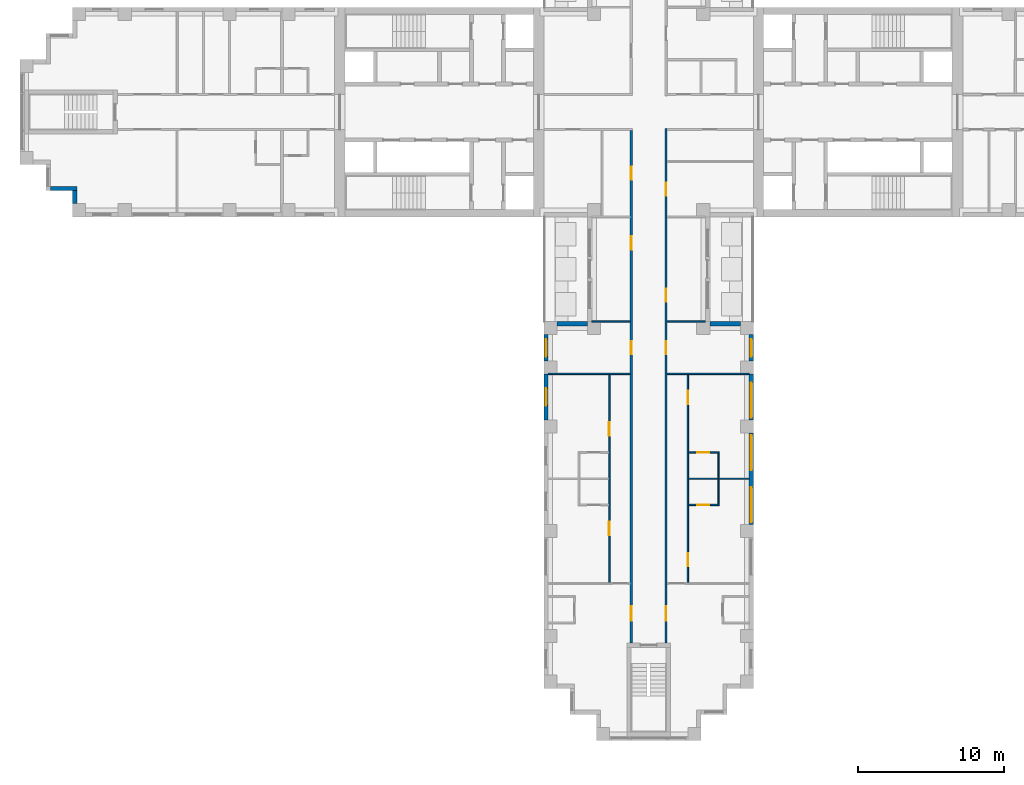
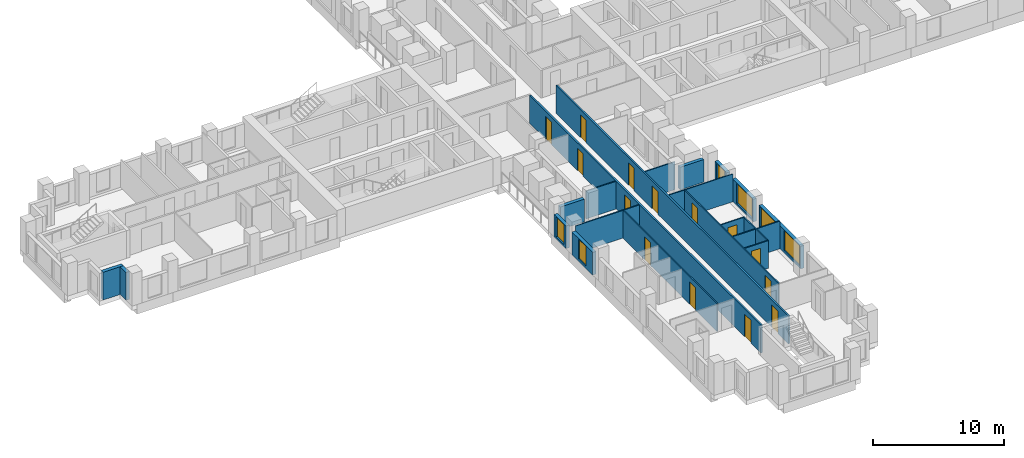
# One storey, part 4 of 15: 21 walls, 14 doors, 6 windows, 20 openings.
"""IFC4 building model written with IfcOpenShell, lengths in metres."""

import ifcopenshell
import ifcopenshell.guid

model = None  # the IFC model being written
_history = None  # IfcOwnerHistory: only IFC2X3 demands one
_inside = {}  # id of a spatial element -> (the spatial element, [elements in it])
_under = {}  # id of a project, library or spatial element -> (it, [spatial elements below it])
_declared = {}  # id of a project -> (the project, [libraries it declares])
_typed = {}  # id of a type object -> (the type object, [elements of that type])
_made_of = {}  # id of a material, layer set ... -> (it, [elements and type objects made of it])


def new_model(schema):
    """Start an empty IFC model of exactly this schema.

    Asked for "IFC4X3", IfcOpenShell would pick the latest addendum, in which some entities
    have other attributes; the version numbers below select the first issue.
    IFC2X3 requires an IfcOwnerHistory on every rooted entity: one is made here for all.
    """
    global model, _history
    if schema == "IFC4X3":
        model = ifcopenshell.file(schema_version=(4, 3, 0, 0))
    else:
        model = ifcopenshell.file(schema=schema)
    _inside.clear()
    _under.clear()
    _declared.clear()
    _typed.clear()
    _made_of.clear()
    _history = None
    if model.schema == "IFC2X3":
        org = make("IfcOrganization", Name="unknown")
        user = make(
            "IfcPersonAndOrganization",
            ThePerson=make("IfcPerson", FamilyName="unknown"),
            TheOrganization=org,
        )
        app = make(
            "IfcApplication",
            ApplicationDeveloper=org,
            Version="unknown",
            ApplicationFullName="unknown",
            ApplicationIdentifier="unknown",
        )
        _history = make(
            "IfcOwnerHistory",
            OwningUser=user,
            OwningApplication=app,
            ChangeAction="ADDED",
            CreationDate=0,
        )
    return model


def make(cls, **values):
    """One entity of the class cls with the attributes given. An attribute that is None is left unset."""
    return model.create_entity(
        cls, **{name: value for name, value in values.items() if value is not None}
    )


def rooted(cls, **values):
    """An entity with a GlobalId (a new one), such as an element, a storey or a relation."""
    return make(cls, GlobalId=ifcopenshell.guid.new(), OwnerHistory=_history, **values)


def si_unit(unit_type, name, prefix=None):
    """IfcSIUnit, for example si_unit("LENGTHUNIT", "METRE", prefix="MILLI")."""
    return make("IfcSIUnit", UnitType=unit_type, Prefix=prefix, Name=name)


def assignment(units):
    """IfcUnitAssignment: the units of a project."""
    return None if units is None else make("IfcUnitAssignment", Units=units)


def point(xyz):
    """IfcCartesianPoint."""
    return None if xyz is None else make("IfcCartesianPoint", Coordinates=xyz)


def direction(xyz):
    """IfcDirection."""
    return None if xyz is None else make("IfcDirection", DirectionRatios=xyz)


def frame(location, z_axis=None, x_axis=None):
    """IfcAxis2Placement3D, a coordinate frame: its origin and axes. An axis left out is left unset."""
    return make(
        "IfcAxis2Placement3D",
        Location=point(location),
        Axis=direction(z_axis),
        RefDirection=direction(x_axis),
    )


def frame_2d(location, x_axis=None):
    """IfcAxis2Placement2D, a coordinate frame in the plane: its origin and x axis."""
    return make(
        "IfcAxis2Placement2D", Location=point(location), RefDirection=direction(x_axis)
    )


def origin():
    """The frame at (0, 0, 0) with its axes left unset."""
    return frame((0.0, 0.0, 0.0))


def place(relative_to, where):
    """IfcLocalPlacement: puts the frame where relative to a parent placement (None: the world)."""
    return make(
        "IfcLocalPlacement", PlacementRelTo=relative_to, RelativePlacement=where
    )


def context(
    kind, dimensions, precision=None, world=None, true_north=None, identifier=None
):
    """IfcGeometricRepresentationContext, for example the 3D "Model" context."""
    return make(
        "IfcGeometricRepresentationContext",
        ContextIdentifier=identifier,
        ContextType=kind,
        CoordinateSpaceDimension=dimensions,
        Precision=precision,
        WorldCoordinateSystem=world,
        TrueNorth=true_north,
    )


def subcontext(parent, identifier, kind, view, scale=None):
    """IfcGeometricRepresentationSubContext, for example "Body" below "Model"."""
    return make(
        "IfcGeometricRepresentationSubContext",
        ContextIdentifier=identifier,
        ContextType=kind,
        ParentContext=parent,
        TargetScale=scale,
        TargetView=view,
    )


def project(units=None, contexts=None):
    """IfcProject with its units and contexts."""
    return rooted(
        "IfcProject",
        Name="project",
        RepresentationContexts=contexts,
        UnitsInContext=assignment(units),
    )


def spatial(cls, under=None, at=None, **own):
    """A site, building, storey or space (cls), placed at a placement, below another one or the project."""
    s = rooted(cls, ObjectPlacement=at, **own)
    if under is not None:
        _under.setdefault(under.id(), (under, []))[1].append(s)
    return s


def profile(cls, at=None, kind="AREA", **sizes):
    """A parametric profile (cls). Its sizes go by their IFC names, for example OverallWidth=200.0."""
    return make(cls, ProfileType=kind, Position=at, **sizes)


def rectangle(**sizes):
    """IfcRectangleProfileDef."""
    return profile("IfcRectangleProfileDef", **sizes)


def extrude(swept, where, along, depth):
    """IfcExtrudedAreaSolid: the profile swept, set in the frame where, extruded along a direction by depth."""
    return make(
        "IfcExtrudedAreaSolid",
        SweptArea=swept,
        Position=where,
        ExtrudedDirection=direction(along),
        Depth=depth,
    )


def shape(context_of_items, identifier, shape_type, items):
    """IfcShapeRepresentation: the items that make up one representation, for example the "Body"."""
    return make(
        "IfcShapeRepresentation",
        ContextOfItems=context_of_items,
        RepresentationIdentifier=identifier,
        RepresentationType=shape_type,
        Items=items,
    )


def material(Name=None, Category=None):
    """IfcMaterial."""
    return make("IfcMaterial", Name=Name, Category=Category)


def layer(
    of_material, thickness, ventilated=None, Name=None, Category=None, Priority=None
):
    """IfcMaterialLayer: one layer of a wall or slab, of a material (None: an air gap)."""
    return make(
        "IfcMaterialLayer",
        Material=of_material,
        LayerThickness=thickness,
        IsVentilated=ventilated,
        Name=Name,
        Category=Category,
        Priority=Priority,
    )


def layer_set(layers, Name=None):
    """IfcMaterialLayerSet."""
    return make("IfcMaterialLayerSet", MaterialLayers=layers, LayerSetName=Name)


def made_of(thing, what):
    """Note that an element or type object is made of a material, layer set ...; save() writes the relation."""
    if what is not None:
        _made_of.setdefault(what.id(), (what, []))[1].append(thing)
    return thing


def type_object(cls, material=None, **own):
    """A type object (cls), such as IfcWallType, which elements share."""
    return made_of(rooted(cls, **own), material)


def element(
    cls,
    number,
    at=None,
    inside=None,
    cuts=None,
    type_object=None,
    material=None,
    context=None,
    identifier="Body",
    shape_type=None,
    held_by="IfcProductDefinitionShape",
    body=None,
    shapes=None,
    **own,
):
    """One element of the class cls, such as IfcWall. Its Tag is "e" and its number.

    at: its placement. inside: the storey or other place that contains it. cuts: it is an
    opening in that element (IfcRelVoidsElement). A single representation is given by context,
    identifier, shape_type and body (its items); several are given by shapes. held_by: the class
    of the entity that holds the representations. save() writes the other relations.
    """
    e = rooted(cls, Tag="e%d" % number, ObjectPlacement=at, **own)
    if body is not None:
        shapes = [shape(context, identifier, shape_type, body)]
    if shapes is not None:
        e.Representation = make(held_by, Representations=shapes)
    if inside is not None:
        _inside.setdefault(inside.id(), (inside, []))[1].append(e)
    if cuts is not None:
        rooted(
            "IfcRelVoidsElement", RelatingBuildingElement=cuts, RelatedOpeningElement=e
        )
    if type_object is not None:
        _typed.setdefault(type_object.id(), (type_object, []))[1].append(e)
    return made_of(e, material)


def fill(opening, filler):
    """IfcRelFillsElement: the door or window that sits in an opening."""
    return rooted(
        "IfcRelFillsElement",
        RelatingOpeningElement=opening,
        RelatedBuildingElement=filler,
    )


def aggregate(whole, parts):
    """IfcRelAggregates: a whole, such as a stair, and the parts it consists of."""
    return rooted("IfcRelAggregates", RelatingObject=whole, RelatedObjects=parts)


def save(model, path):
    """Write the relations noted so far, then the file.

    IfcRelAggregates (storeys below a building ...), IfcRelContainedInSpatialStructure (elements
    in a storey), IfcRelDefinesByType, IfcRelAssociatesMaterial and IfcRelDeclares: one each for
    every whole, place, type object, material and project.
    """
    for whole, parts in _under.values():
        aggregate(whole, parts)
    for where, things in _inside.values():
        rooted(
            "IfcRelContainedInSpatialStructure",
            RelatedElements=things,
            RelatingStructure=where,
        )
    for kind, things in _typed.values():
        rooted("IfcRelDefinesByType", RelatedObjects=things, RelatingType=kind)
    for what, things in _made_of.values():
        rooted("IfcRelAssociatesMaterial", RelatedObjects=things, RelatingMaterial=what)
    for by, libraries in _declared.values():
        rooted("IfcRelDeclares", RelatingContext=by, RelatedDefinitions=libraries)
    model.write(path)


model = new_model("IFC4")

# Units and contexts
model_context = context("Model", 3, precision=1e-05, world=origin(), true_north=direction((0.0, 1.0)))
body_context = subcontext(model_context, "Body", "Model", "MODEL_VIEW")
ifc_project = project(units=[si_unit("LENGTHUNIT", "METRE"), si_unit("AREAUNIT", "SQUARE_METRE"), si_unit("VOLUMEUNIT", "CUBIC_METRE"), si_unit("PLANEANGLEUNIT", "RADIAN"), si_unit("MASSUNIT", "GRAM", prefix="KILO")], contexts=[model_context])

# Site, building, storey
site_placement = place(None, origin())
site = spatial("IfcSite", under=ifc_project, at=site_placement, CompositionType="ELEMENT")
building_placement = place(site_placement, origin())
building = spatial("IfcBuilding", under=site, at=building_placement, Name="Fustian Cross Tower", CompositionType="ELEMENT")
storey_placement = place(building_placement, frame((0.0, 0.0, 50.699951171875)))
storey = spatial("IfcBuildingStorey", under=building, at=storey_placement, Name="L15", CompositionType="ELEMENT", Elevation=50.699951171875)

# Wall, openings, doors
ifc_material_1 = material(Name="Plasterboard on steel stud", Category="steel")
ifc_layer_1 = layer(ifc_material_1, 0.14990234375)
ifc_layer_set_1 = layer_set([ifc_layer_1], Name="Plasterboard on steel stud")
wall_type_1 = type_object("IfcWallType", Name="COMPARTMENT WALL 150 EI 60", PredefinedType="PARTITIONING", material=ifc_layer_set_1)
wall_1_placement = place(storey_placement, frame((-1.199951171875, -36.5, 0.0), z_axis=(0.0, 0.0, 1.0), x_axis=(0.0, 1.0, 0.0)))
wall_1 = element("IfcWall", 1, at=wall_1_placement, inside=storey, type_object=wall_type_1, Name="Partition 42", PredefinedType="PARTITIONING", context=body_context, shape_type="SweptSolid", body=[
    extrude(rectangle(XDim=35.22509765625, YDim=0.14990234375, at=frame_2d((17.612548828125, 0.0))), origin(), (0.0, 0.0, 1.0), 2.574951171875),
])
opening_1_placement = place(wall_1_placement, frame((31.85009765625, 0.0, 0.0)))
opening_1 = element("IfcOpeningElement", 2, at=opening_1_placement, cuts=wall_1, Name="Opening D08007", PredefinedType="OPENING", context=body_context, shape_type="SweptSolid", body=[
    extrude(rectangle(XDim=0.89990234375, YDim=2.10009765625, at=frame_2d((0.449951171875, 1.050048828125))), frame((0.0, 0.0849609375, 0.0), z_axis=(0.0, -1.0, 0.0), x_axis=(1.0, 0.0, 0.0)), (0.0, 0.0, 1.0), 0.169921875),
])
opening_2_placement = place(wall_1_placement, frame((27.050048828125, 0.0, 0.0)))
opening_2 = element("IfcOpeningElement", 3, at=opening_2_placement, cuts=wall_1, Name="Opening D08057", PredefinedType="OPENING", context=body_context, shape_type="SweptSolid", body=[
    extrude(rectangle(XDim=0.89990234375, YDim=2.10009765625, at=frame_2d((0.449951171875, 1.050048828125))), frame((0.0, 0.0849609375, 0.0), z_axis=(0.0, -1.0, 0.0), x_axis=(1.0, 0.0, 0.0)), (0.0, 0.0, 1.0), 0.169921875),
])
opening_3_placement = place(wall_1_placement, frame((19.85009765625, 0.0, 0.0)))
opening_3 = element("IfcOpeningElement", 4, at=opening_3_placement, cuts=wall_1, Name="Opening D08058", PredefinedType="OPENING", context=body_context, shape_type="SweptSolid", body=[
    extrude(rectangle(XDim=0.89990234375, YDim=2.10009765625, at=frame_2d((0.449951171875, 1.050048828125))), frame((0.0, 0.0849609375, 0.0), z_axis=(0.0, -1.0, 0.0), x_axis=(1.0, 0.0, 0.0)), (0.0, 0.0, 1.0), 0.169921875),
])
opening_4_placement = place(wall_1_placement, frame((1.550048828125, 0.0, 0.0)))
opening_4 = element("IfcOpeningElement", 5, at=opening_4_placement, cuts=wall_1, Name="Opening D08060", PredefinedType="OPENING", context=body_context, shape_type="SweptSolid", body=[
    extrude(rectangle(XDim=1.0, YDim=2.10009765625, at=frame_2d((0.5, 1.050048828125))), frame((0.0, 0.0849609375, 0.0), z_axis=(0.0, -1.0, 0.0), x_axis=(1.0, 0.0, 0.0)), (0.0, 0.0, 1.0), 0.169921875),
])
ifc_material_2 = material(Name="Timber fire door set", Category="wood")
door_type_1 = type_object("IfcDoorType", Name="FIRE SWING DOOR 1000 FD30S", OperationType="SINGLE_SWING_LEFT", PredefinedType="DOOR", material=ifc_material_2)
door_1_placement = place(opening_4_placement, origin())
door_1 = element("IfcDoor", 6, at=door_1_placement, inside=storey, type_object=door_type_1, Name="Door D08060", OperationType="SINGLE_SWING_RIGHT", OverallHeight=2.10009765625, OverallWidth=1.0, PredefinedType="DOOR", context=body_context, shape_type="SweptSolid", body=[
    extrude(rectangle(XDim=1.0, YDim=2.10009765625, at=frame_2d((0.5, 1.050048828125))), frame((0.0, 0.02490234375, 0.0), z_axis=(0.0, -1.0, 0.0), x_axis=(1.0, 0.0, 0.0)), (0.0, 0.0, 1.0), 0.050048828125),
])
fill(opening_4, door_1)
ifc_material_3 = material(Name="Timber fire door set", Category="wood")
door_type_2 = type_object("IfcDoorType", Name="FIRE SWING DOOR 900 FD30S", OperationType="SINGLE_SWING_LEFT", PredefinedType="DOOR", material=ifc_material_3)
door_2_placement = place(opening_1_placement, origin())
door_2 = element("IfcDoor", 7, at=door_2_placement, inside=storey, type_object=door_type_2, Name="Door D08007", OperationType="SINGLE_SWING_LEFT", OverallHeight=2.10009765625, OverallWidth=0.89990234375, PredefinedType="DOOR", context=body_context, shape_type="SweptSolid", body=[
    extrude(rectangle(XDim=0.89990234375, YDim=2.10009765625, at=frame_2d((0.449951171875, 1.050048828125))), frame((0.0, 0.02490234375, 0.0), z_axis=(0.0, -1.0, 0.0), x_axis=(1.0, 0.0, 0.0)), (0.0, 0.0, 1.0), 0.050048828125),
])
fill(opening_1, door_2)
door_3_placement = place(opening_2_placement, origin())
door_3 = element("IfcDoor", 8, at=door_3_placement, inside=storey, type_object=door_type_2, Name="Door D08057", OperationType="SINGLE_SWING_RIGHT", OverallHeight=2.10009765625, OverallWidth=0.89990234375, PredefinedType="DOOR", context=body_context, shape_type="SweptSolid", body=[
    extrude(rectangle(XDim=0.89990234375, YDim=2.10009765625, at=frame_2d((0.449951171875, 1.050048828125))), frame((0.0, 0.02490234375, 0.0), z_axis=(0.0, -1.0, 0.0), x_axis=(1.0, 0.0, 0.0)), (0.0, 0.0, 1.0), 0.050048828125),
])
fill(opening_2, door_3)
door_4_placement = place(opening_3_placement, origin())
door_4 = element("IfcDoor", 9, at=door_4_placement, inside=storey, type_object=door_type_2, Name="Door D08058", OperationType="SINGLE_SWING_LEFT", OverallHeight=2.10009765625, OverallWidth=0.89990234375, PredefinedType="DOOR", context=body_context, shape_type="SweptSolid", body=[
    extrude(rectangle(XDim=0.89990234375, YDim=2.10009765625, at=frame_2d((0.449951171875, 1.050048828125))), frame((0.0, 0.02490234375, 0.0), z_axis=(0.0, -1.0, 0.0), x_axis=(1.0, 0.0, 0.0)), (0.0, 0.0, 1.0), 0.050048828125),
])
fill(opening_3, door_4)

wall_2_placement = place(storey_placement, frame((1.199951171875, -36.5, 0.0), z_axis=(0.0, 0.0, 1.0), x_axis=(0.0, 1.0, 0.0)))
wall_2 = element("IfcWall", 10, at=wall_2_placement, inside=storey, type_object=wall_type_1, Name="Partition 44", PredefinedType="PARTITIONING", context=body_context, shape_type="SweptSolid", body=[
    extrude(rectangle(XDim=35.375, YDim=0.14990234375, at=frame_2d((17.6875, 0.0))), origin(), (0.0, 0.0, 1.0), 2.574951171875),
])
opening_5_placement = place(wall_2_placement, frame((30.75, 0.0, 0.0)))
opening_5 = element("IfcOpeningElement", 11, at=opening_5_placement, cuts=wall_2, Name="Opening D08006", PredefinedType="OPENING", context=body_context, shape_type="SweptSolid", body=[
    extrude(rectangle(XDim=0.89990234375, YDim=2.10009765625, at=frame_2d((0.449951171875, 1.050048828125))), frame((0.0, 0.0849609375, 0.0), z_axis=(0.0, -1.0, 0.0), x_axis=(1.0, 0.0, 0.0)), (0.0, 0.0, 1.0), 0.169921875),
])
opening_6_placement = place(wall_2_placement, frame((23.449951171875, 0.0, 0.0)))
opening_6 = element("IfcOpeningElement", 12, at=opening_6_placement, cuts=wall_2, Name="Opening D08048", PredefinedType="OPENING", context=body_context, shape_type="SweptSolid", body=[
    extrude(rectangle(XDim=0.89990234375, YDim=2.10009765625, at=frame_2d((0.449951171875, 1.050048828125))), frame((0.0, 0.0849609375, 0.0), z_axis=(0.0, -1.0, 0.0), x_axis=(1.0, 0.0, 0.0)), (0.0, 0.0, 1.0), 0.169921875),
])
opening_7_placement = place(wall_2_placement, frame((19.85009765625, 0.0, 0.0)))
opening_7 = element("IfcOpeningElement", 13, at=opening_7_placement, cuts=wall_2, Name="Opening D08049", PredefinedType="OPENING", context=body_context, shape_type="SweptSolid", body=[
    extrude(rectangle(XDim=0.89990234375, YDim=2.10009765625, at=frame_2d((0.449951171875, 1.050048828125))), frame((0.0, 0.0849609375, 0.0), z_axis=(0.0, -1.0, 0.0), x_axis=(1.0, 0.0, 0.0)), (0.0, 0.0, 1.0), 0.169921875),
])
opening_8_placement = place(wall_2_placement, frame((1.550048828125, 0.0, 0.0)))
opening_8 = element("IfcOpeningElement", 14, at=opening_8_placement, cuts=wall_2, Name="Opening D08051", PredefinedType="OPENING", context=body_context, shape_type="SweptSolid", body=[
    extrude(rectangle(XDim=1.0, YDim=2.10009765625, at=frame_2d((0.5, 1.050048828125))), frame((0.0, 0.0849609375, 0.0), z_axis=(0.0, -1.0, 0.0), x_axis=(1.0, 0.0, 0.0)), (0.0, 0.0, 1.0), 0.169921875),
])
door_5_placement = place(opening_8_placement, frame((1.0, 0.0, 0.0), z_axis=(0.0, 0.0, 1.0), x_axis=(-1.0, 0.0, 0.0)))
door_5 = element("IfcDoor", 15, at=door_5_placement, inside=storey, type_object=door_type_1, Name="Door D08051", OperationType="SINGLE_SWING_LEFT", OverallHeight=2.10009765625, OverallWidth=1.0, PredefinedType="DOOR", context=body_context, shape_type="SweptSolid", body=[
    extrude(rectangle(XDim=1.0, YDim=2.10009765625, at=frame_2d((0.5, 1.050048828125))), frame((0.0, 0.02490234375, 0.0), z_axis=(0.0, -1.0, 0.0), x_axis=(1.0, 0.0, 0.0)), (0.0, 0.0, 1.0), 0.050048828125),
])
fill(opening_8, door_5)
door_6_placement = place(opening_5_placement, frame((0.89990234375, 0.0, 0.0), z_axis=(0.0, 0.0, 1.0), x_axis=(-1.0, 0.0, 0.0)))
door_6 = element("IfcDoor", 16, at=door_6_placement, inside=storey, type_object=door_type_2, Name="Door D08006", OperationType="SINGLE_SWING_LEFT", OverallHeight=2.10009765625, OverallWidth=0.89990234375, PredefinedType="DOOR", context=body_context, shape_type="SweptSolid", body=[
    extrude(rectangle(XDim=0.89990234375, YDim=2.10009765625, at=frame_2d((0.449951171875, 1.050048828125))), frame((0.0, 0.02490234375, 0.0), z_axis=(0.0, -1.0, 0.0), x_axis=(1.0, 0.0, 0.0)), (0.0, 0.0, 1.0), 0.050048828125),
])
fill(opening_5, door_6)
door_7_placement = place(opening_6_placement, frame((0.89990234375, 0.0, 0.0), z_axis=(0.0, 0.0, 1.0), x_axis=(-1.0, 0.0, 0.0)))
door_7 = element("IfcDoor", 17, at=door_7_placement, inside=storey, type_object=door_type_2, Name="Door D08048", OperationType="SINGLE_SWING_RIGHT", OverallHeight=2.10009765625, OverallWidth=0.89990234375, PredefinedType="DOOR", context=body_context, shape_type="SweptSolid", body=[
    extrude(rectangle(XDim=0.89990234375, YDim=2.10009765625, at=frame_2d((0.449951171875, 1.050048828125))), frame((0.0, 0.02490234375, 0.0), z_axis=(0.0, -1.0, 0.0), x_axis=(1.0, 0.0, 0.0)), (0.0, 0.0, 1.0), 0.050048828125),
])
fill(opening_6, door_7)
door_8_placement = place(opening_7_placement, frame((0.89990234375, 0.0, 0.0), z_axis=(0.0, 0.0, 1.0), x_axis=(-1.0, 0.0, 0.0)))
door_8 = element("IfcDoor", 18, at=door_8_placement, inside=storey, type_object=door_type_2, Name="Door D08049", OperationType="SINGLE_SWING_RIGHT", OverallHeight=2.10009765625, OverallWidth=0.89990234375, PredefinedType="DOOR", context=body_context, shape_type="SweptSolid", body=[
    extrude(rectangle(XDim=0.89990234375, YDim=2.10009765625, at=frame_2d((0.449951171875, 1.050048828125))), frame((0.0, 0.02490234375, 0.0), z_axis=(0.0, -1.0, 0.0), x_axis=(1.0, 0.0, 0.0)), (0.0, 0.0, 1.0), 0.050048828125),
])
fill(opening_7, door_8)

# Walls
ifc_material_4 = material(Name="Plasterboard on steel stud", Category="steel")
ifc_layer_2 = layer(ifc_material_4, 0.10009765625)
ifc_layer_set_2 = layer_set([ifc_layer_2], Name="Plasterboard on steel stud")
wall_type_2 = type_object("IfcWallType", Name="PARTITION 100 STUD", PredefinedType="PARTITIONING", material=ifc_layer_set_2)
wall_3_placement = place(storey_placement, frame((-6.89990234375, -18.0, 0.0), z_axis=(0.0, 0.0, 1.0), x_axis=(1.0, 0.0, 0.0)))
element("IfcWall", 19, at=wall_3_placement, inside=storey, type_object=wall_type_2, Name="Partition 22", PredefinedType="PARTITIONING", context=body_context, shape_type="SweptSolid", body=[
    extrude(rectangle(XDim=5.625, YDim=0.10009765625, at=frame_2d((2.8125, 0.0))), origin(), (0.0, 0.0, 1.0), 2.574951171875),
])
wall_4_placement = place(storey_placement, frame((-3.89990234375, -14.39990234375, 0.0), z_axis=(0.0, 0.0, 1.0), x_axis=(1.0, 0.0, 0.0)))
element("IfcWall", 20, at=wall_4_placement, inside=storey, type_object=wall_type_2, Name="Partition 30", PredefinedType="PARTITIONING", context=body_context, shape_type="SweptSolid", body=[
    extrude(rectangle(XDim=2.625, YDim=0.10009765625, at=frame_2d((1.3125, 0.0))), origin(), (0.0, 0.0, 1.0), 2.574951171875),
])

# Wall, openings, doors
wall_5_placement = place(storey_placement, frame((-2.699951171875, -32.35009765625, 0.0), z_axis=(0.0, 0.0, 1.0), x_axis=(0.0, 1.0, 0.0)))
wall_5 = element("IfcWall", 21, at=wall_5_placement, inside=storey, type_object=wall_type_2, Name="Partition 41", PredefinedType="PARTITIONING", context=body_context, shape_type="SweptSolid", body=[
    extrude(rectangle(XDim=14.300048828125, YDim=0.10009765625, at=frame_2d((7.14990234375, 0.0))), origin(), (0.0, 0.0, 1.0), 2.574951171875),
])
opening_9_placement = place(wall_5_placement, frame((3.280029296875, 0.0, 0.0)))
opening_9 = element("IfcOpeningElement", 22, at=opening_9_placement, cuts=wall_5, Name="Opening D08061", PredefinedType="OPENING", context=body_context, shape_type="SweptSolid", body=[
    extrude(rectangle(XDim=0.89990234375, YDim=2.10009765625, at=frame_2d((0.449951171875, 1.050048828125))), frame((0.0, 0.06005859375, 0.0), z_axis=(0.0, -1.0, 0.0), x_axis=(1.0, 0.0, 0.0)), (0.0, 0.0, 1.0), 0.1201171875),
])
opening_10_placement = place(wall_5_placement, frame((10.119873046875, 0.0, 0.0)))
opening_10 = element("IfcOpeningElement", 23, at=opening_10_placement, cuts=wall_5, Name="Opening D08062", PredefinedType="OPENING", context=body_context, shape_type="SweptSolid", body=[
    extrude(rectangle(XDim=0.89990234375, YDim=2.10009765625, at=frame_2d((0.449951171875, 1.050048828125))), frame((0.0, 0.06005859375, 0.0), z_axis=(0.0, -1.0, 0.0), x_axis=(1.0, 0.0, 0.0)), (0.0, 0.0, 1.0), 0.1201171875),
])
ifc_material_5 = material(Name="Painted timber", Category="wood")
door_type_3 = type_object("IfcDoorType", Name="SWING DOOR 900", OperationType="SINGLE_SWING_LEFT", PredefinedType="DOOR", material=ifc_material_5)
door_9_placement = place(opening_9_placement, frame((0.89990234375, 0.0, 0.0), z_axis=(0.0, 0.0, 1.0), x_axis=(-1.0, 0.0, 0.0)))
door_9 = element("IfcDoor", 24, at=door_9_placement, inside=storey, type_object=door_type_3, Name="Door D08061", OperationType="SINGLE_SWING_RIGHT", OverallHeight=2.10009765625, OverallWidth=0.89990234375, PredefinedType="DOOR", context=body_context, shape_type="SweptSolid", body=[
    extrude(rectangle(XDim=0.89990234375, YDim=2.10009765625, at=frame_2d((0.449951171875, 1.050048828125))), frame((0.0, 0.02490234375, 0.0), z_axis=(0.0, -1.0, 0.0), x_axis=(1.0, 0.0, 0.0)), (0.0, 0.0, 1.0), 0.050048828125),
])
fill(opening_9, door_9)
door_10_placement = place(opening_10_placement, frame((0.89990234375, 0.0, 0.0), z_axis=(0.0, 0.0, 1.0), x_axis=(-1.0, 0.0, 0.0)))
door_10 = element("IfcDoor", 25, at=door_10_placement, inside=storey, type_object=door_type_3, Name="Door D08062", OperationType="SINGLE_SWING_LEFT", OverallHeight=2.10009765625, OverallWidth=0.89990234375, PredefinedType="DOOR", context=body_context, shape_type="SweptSolid", body=[
    extrude(rectangle(XDim=0.89990234375, YDim=2.10009765625, at=frame_2d((0.449951171875, 1.050048828125))), frame((0.0, 0.02490234375, 0.0), z_axis=(0.0, -1.0, 0.0), x_axis=(1.0, 0.0, 0.0)), (0.0, 0.0, 1.0), 0.050048828125),
])
fill(opening_10, door_10)

# Walls
wall_6_placement = place(storey_placement, frame((1.27490234375, -18.0, 0.0), z_axis=(0.0, 0.0, 1.0), x_axis=(1.0, 0.0, 0.0)))
element("IfcWall", 26, at=wall_6_placement, inside=storey, type_object=wall_type_2, Name="Partition 46", PredefinedType="PARTITIONING", context=body_context, shape_type="SweptSolid", body=[
    extrude(rectangle(XDim=5.625, YDim=0.10009765625, at=frame_2d((2.8125, 0.0))), origin(), (0.0, 0.0, 1.0), 2.574951171875),
])
wall_7_placement = place(storey_placement, frame((1.27490234375, -14.39990234375, 0.0), z_axis=(0.0, 0.0, 1.0), x_axis=(1.0, 0.0, 0.0)))
element("IfcWall", 27, at=wall_7_placement, inside=storey, type_object=wall_type_2, Name="Partition 47", PredefinedType="PARTITIONING", context=body_context, shape_type="SweptSolid", body=[
    extrude(rectangle(XDim=2.625, YDim=0.10009765625, at=frame_2d((1.3125, 0.0))), origin(), (0.0, 0.0, 1.0), 2.574951171875),
])

# Wall, openings, doors
wall_8_placement = place(storey_placement, frame((2.699951171875, -32.35009765625, 0.0), z_axis=(0.0, 0.0, 1.0), x_axis=(0.0, 1.0, 0.0)))
wall_8 = element("IfcWall", 28, at=wall_8_placement, inside=storey, type_object=wall_type_2, Name="Partition 59", PredefinedType="PARTITIONING", context=body_context, shape_type="SweptSolid", body=[
    extrude(rectangle(XDim=14.300048828125, YDim=0.10009765625, at=frame_2d((7.14990234375, 0.0))), origin(), (0.0, 0.0, 1.0), 2.574951171875),
])
opening_11_placement = place(wall_8_placement, frame((1.1201171875, 0.0, 0.0)))
opening_11 = element("IfcOpeningElement", 29, at=opening_11_placement, cuts=wall_8, Name="Opening D08053", PredefinedType="OPENING", context=body_context, shape_type="SweptSolid", body=[
    extrude(rectangle(XDim=0.89990234375, YDim=2.10009765625, at=frame_2d((0.449951171875, 1.050048828125))), frame((0.0, 0.06005859375, 0.0), z_axis=(0.0, -1.0, 0.0), x_axis=(1.0, 0.0, 0.0)), (0.0, 0.0, 1.0), 0.1201171875),
])
opening_12_placement = place(wall_8_placement, frame((12.280029296875, 0.0, 0.0)))
opening_12 = element("IfcOpeningElement", 30, at=opening_12_placement, cuts=wall_8, Name="Opening D08054", PredefinedType="OPENING", context=body_context, shape_type="SweptSolid", body=[
    extrude(rectangle(XDim=0.89990234375, YDim=2.10009765625, at=frame_2d((0.449951171875, 1.050048828125))), frame((0.0, 0.06005859375, 0.0), z_axis=(0.0, -1.0, 0.0), x_axis=(1.0, 0.0, 0.0)), (0.0, 0.0, 1.0), 0.1201171875),
])
door_11_placement = place(opening_11_placement, origin())
door_11 = element("IfcDoor", 31, at=door_11_placement, inside=storey, type_object=door_type_3, Name="Door D08053", OperationType="SINGLE_SWING_LEFT", OverallHeight=2.10009765625, OverallWidth=0.89990234375, PredefinedType="DOOR", context=body_context, shape_type="SweptSolid", body=[
    extrude(rectangle(XDim=0.89990234375, YDim=2.10009765625, at=frame_2d((0.449951171875, 1.050048828125))), frame((0.0, 0.02490234375, 0.0), z_axis=(0.0, -1.0, 0.0), x_axis=(1.0, 0.0, 0.0)), (0.0, 0.0, 1.0), 0.050048828125),
])
fill(opening_11, door_11)
door_12_placement = place(opening_12_placement, origin())
door_12 = element("IfcDoor", 32, at=door_12_placement, inside=storey, type_object=door_type_3, Name="Door D08054", OperationType="SINGLE_SWING_RIGHT", OverallHeight=2.10009765625, OverallWidth=0.89990234375, PredefinedType="DOOR", context=body_context, shape_type="SweptSolid", body=[
    extrude(rectangle(XDim=0.89990234375, YDim=2.10009765625, at=frame_2d((0.449951171875, 1.050048828125))), frame((0.0, 0.02490234375, 0.0), z_axis=(0.0, -1.0, 0.0), x_axis=(1.0, 0.0, 0.0)), (0.0, 0.0, 1.0), 0.050048828125),
])
fill(opening_12, door_12)

# Wall, opening, door
wall_9_placement = place(storey_placement, frame((2.75, -27.0, 0.0), z_axis=(0.0, 0.0, 1.0), x_axis=(1.0, 0.0, 0.0)))
wall_9 = element("IfcWall", 33, at=wall_9_placement, inside=storey, type_object=wall_type_2, Name="Partition 60", PredefinedType="PARTITIONING", context=body_context, shape_type="SweptSolid", body=[
    extrude(rectangle(XDim=2.10009765625, YDim=0.10009765625, at=frame_2d((1.050048828125, 0.0))), origin(), (0.0, 0.0, 1.0), 2.574951171875),
])
opening_13_placement = place(wall_9_placement, frame((0.60009765625, 0.0, 0.0)))
opening_13 = element("IfcOpeningElement", 34, at=opening_13_placement, cuts=wall_9, Name="Opening D08056", PredefinedType="OPENING", context=body_context, shape_type="SweptSolid", body=[
    extrude(rectangle(XDim=0.800048828125, YDim=2.10009765625, at=frame_2d((0.39990234375, 1.050048828125))), frame((0.0, 0.06005859375, 0.0), z_axis=(0.0, -1.0, 0.0), x_axis=(1.0, 0.0, 0.0)), (0.0, 0.0, 1.0), 0.1201171875),
])
ifc_material_6 = material(Name="Painted timber", Category="wood")
door_type_4 = type_object("IfcDoorType", Name="SWING DOOR 800", OperationType="SINGLE_SWING_LEFT", PredefinedType="DOOR", material=ifc_material_6)
door_13_placement = place(opening_13_placement, origin())
door_13 = element("IfcDoor", 35, at=door_13_placement, inside=storey, type_object=door_type_4, Name="Door D08056", OperationType="SINGLE_SWING_LEFT", OverallHeight=2.10009765625, OverallWidth=0.800048828125, PredefinedType="DOOR", context=body_context, shape_type="SweptSolid", body=[
    extrude(rectangle(XDim=0.800048828125, YDim=2.10009765625, at=frame_2d((0.39990234375, 1.050048828125))), frame((0.0, 0.02490234375, 0.0), z_axis=(0.0, -1.0, 0.0), x_axis=(1.0, 0.0, 0.0)), (0.0, 0.0, 1.0), 0.050048828125),
])
fill(opening_13, door_13)

# Wall
wall_10_placement = place(storey_placement, frame((2.75, -25.199951171875, 0.0), z_axis=(0.0, 0.0, 1.0), x_axis=(1.0, 0.0, 0.0)))
element("IfcWall", 36, at=wall_10_placement, inside=storey, type_object=wall_type_2, Name="Partition 61", PredefinedType="PARTITIONING", context=body_context, shape_type="SweptSolid", body=[
    extrude(rectangle(XDim=4.14990234375, YDim=0.10009765625, at=frame_2d((2.074951171875, 0.0))), origin(), (0.0, 0.0, 1.0), 2.574951171875),
])

# Wall, opening, door
wall_11_placement = place(storey_placement, frame((2.75, -23.39990234375, 0.0), z_axis=(0.0, 0.0, 1.0), x_axis=(1.0, 0.0, 0.0)))
wall_11 = element("IfcWall", 37, at=wall_11_placement, inside=storey, type_object=wall_type_2, Name="Partition 62", PredefinedType="PARTITIONING", context=body_context, shape_type="SweptSolid", body=[
    extrude(rectangle(XDim=2.10009765625, YDim=0.10009765625, at=frame_2d((1.050048828125, 0.0))), origin(), (0.0, 0.0, 1.0), 2.574951171875),
])
opening_14_placement = place(wall_11_placement, frame((0.60009765625, 0.0, 0.0)))
opening_14 = element("IfcOpeningElement", 38, at=opening_14_placement, cuts=wall_11, Name="Opening D08055", PredefinedType="OPENING", context=body_context, shape_type="SweptSolid", body=[
    extrude(rectangle(XDim=0.800048828125, YDim=2.10009765625, at=frame_2d((0.39990234375, 1.050048828125))), frame((0.0, 0.06005859375, 0.0), z_axis=(0.0, -1.0, 0.0), x_axis=(1.0, 0.0, 0.0)), (0.0, 0.0, 1.0), 0.1201171875),
])
door_14_placement = place(opening_14_placement, frame((0.800048828125, 0.0, 0.0), z_axis=(0.0, 0.0, 1.0), x_axis=(-1.0, 0.0, 0.0)))
door_14 = element("IfcDoor", 39, at=door_14_placement, inside=storey, type_object=door_type_4, Name="Door D08055", OperationType="SINGLE_SWING_RIGHT", OverallHeight=2.10009765625, OverallWidth=0.800048828125, PredefinedType="DOOR", context=body_context, shape_type="SweptSolid", body=[
    extrude(rectangle(XDim=0.800048828125, YDim=2.10009765625, at=frame_2d((0.39990234375, 1.050048828125))), frame((0.0, 0.02490234375, 0.0), z_axis=(0.0, -1.0, 0.0), x_axis=(1.0, 0.0, 0.0)), (0.0, 0.0, 1.0), 0.050048828125),
])
fill(opening_14, door_14)

# Walls
wall_12_placement = place(storey_placement, frame((4.800048828125, -26.949951171875, 0.0), z_axis=(0.0, 0.0, 1.0), x_axis=(0.0, 1.0, 0.0)))
element("IfcWall", 40, at=wall_12_placement, inside=storey, type_object=wall_type_2, Name="Partition 68", PredefinedType="PARTITIONING", context=body_context, shape_type="SweptSolid", body=[
    extrude(rectangle(XDim=3.5, YDim=0.10009765625, at=frame_2d((1.75, 0.0))), origin(), (0.0, 0.0, 1.0), 2.574951171875),
])
ifc_material_7 = material(Name="Dark aluminium cladding on insulated backing wall", Category="aluminium")
ifc_layer_3 = layer(ifc_material_7, 0.300048828125)
ifc_layer_set_3 = layer_set([ifc_layer_3], Name="Dark aluminium cladding on insulated backing wall")
wall_type_3 = type_object("IfcWallType", Name="XW1 EXTERNAL WALL 300", PredefinedType="SOLIDWALL", material=ifc_layer_set_3)
wall_13_placement = place(storey_placement, frame((-41.10009765625, -5.25, 0.0), z_axis=(0.0, 0.0, 1.0), x_axis=(1.0, 0.0, 0.0)))
element("IfcWall", 41, at=wall_13_placement, inside=storey, type_object=wall_type_3, Name="External wall", PredefinedType="SOLIDWALL", context=body_context, shape_type="SweptSolid", body=[
    extrude(rectangle(XDim=1.800048828125, YDim=0.300048828125, at=frame_2d((0.89990234375, 0.0))), origin(), (0.0, 0.0, 1.0), 2.574951171875),
])
wall_14_placement = place(storey_placement, frame((-39.449951171875, -5.39990234375, 0.0), z_axis=(0.0, 0.0, 1.0), x_axis=(0.0, -1.0, 0.0)))
element("IfcWall", 42, at=wall_14_placement, inside=storey, type_object=wall_type_3, Name="External wall", PredefinedType="SOLIDWALL", context=body_context, shape_type="SweptSolid", body=[
    extrude(rectangle(XDim=0.900146484375, YDim=0.300048828125, at=frame_2d((0.4501953125, 0.0))), origin(), (0.0, 0.0, 1.0), 2.574951171875),
])
wall_15_placement = place(storey_placement, frame((-4.199951171875, -14.550048828125, 0.0), z_axis=(0.0, 0.0, 1.0), x_axis=(-1.0, 0.0, 0.0)))
element("IfcWall", 43, at=wall_15_placement, inside=storey, type_object=wall_type_3, Name="External wall", PredefinedType="SOLIDWALL", context=body_context, shape_type="SweptSolid", body=[
    extrude(rectangle(XDim=2.10009765625, YDim=0.300048828125, at=frame_2d((1.050048828125, 0.0))), origin(), (0.0, 0.0, 1.0), 2.10009765625),
])

# Wall, opening, window
wall_16_placement = place(storey_placement, frame((-7.050048828125, -15.300048828125, 0.0), z_axis=(0.0, 0.0, 1.0), x_axis=(0.0, -1.0, 0.0)))
wall_16 = element("IfcWall", 44, at=wall_16_placement, inside=storey, type_object=wall_type_3, Name="External wall", PredefinedType="SOLIDWALL", context=body_context, shape_type="SweptSolid", body=[
    extrude(rectangle(XDim=1.800048828125, YDim=0.300048828125, at=frame_2d((0.89990234375, 0.0))), origin(), (0.0, 0.0, 1.0), 2.10009765625),
])
opening_15_placement = place(wall_16_placement, frame((0.300048828125, 0.0, 0.199951171875)))
opening_15 = element("IfcOpeningElement", 45, at=opening_15_placement, cuts=wall_16, Name="Opening WN3", PredefinedType="OPENING", context=body_context, shape_type="SweptSolid", body=[
    extrude(rectangle(XDim=1.199951171875, YDim=1.85009765625, at=frame_2d((0.60009765625, 0.925048828125))), frame((0.0, 0.159912109375, 0.0), z_axis=(0.0, -1.0, 0.0), x_axis=(1.0, 0.0, 0.0)), (0.0, 0.0, 1.0), 0.320068359375),
])
ifc_material_8 = material(Name="Dark anodised aluminium and double glazing", Category="aluminium")
window_type_1 = type_object("IfcWindowType", Name="WN3 WINDOW 1200X1850", PartitioningType="SINGLE_PANEL", PredefinedType="WINDOW", material=ifc_material_8)
window_1_placement = place(opening_15_placement, origin())
window_1 = element("IfcWindow", 46, at=window_1_placement, inside=storey, type_object=window_type_1, Name="Window", OverallHeight=1.85009765625, OverallWidth=1.199951171875, PartitioningType="SINGLE_PANEL", PredefinedType="WINDOW", context=body_context, shape_type="SweptSolid", body=[
    extrude(rectangle(XDim=1.199951171875, YDim=1.85009765625, at=frame_2d((0.60009765625, 0.925048828125))), frame((0.0, 0.030029296875, 0.0), z_axis=(0.0, -1.0, 0.0), x_axis=(1.0, 0.0, 0.0)), (0.0, 0.0, 1.0), 0.06005859375),
])
fill(opening_15, window_1)

wall_17_placement = place(storey_placement, frame((-7.050048828125, -18.0, 0.0), z_axis=(0.0, 0.0, 1.0), x_axis=(0.0, -1.0, 0.0)))
wall_17 = element("IfcWall", 47, at=wall_17_placement, inside=storey, type_object=wall_type_3, Name="External wall", PredefinedType="SOLIDWALL", context=body_context, shape_type="SweptSolid", body=[
    extrude(rectangle(XDim=3.14990234375, YDim=0.300048828125, at=frame_2d((1.574951171875, 0.0))), origin(), (0.0, 0.0, 1.0), 2.10009765625),
])
opening_16_placement = place(wall_17_placement, frame((0.97509765625, 0.0, 0.199951171875)))
opening_16 = element("IfcOpeningElement", 48, at=opening_16_placement, cuts=wall_17, Name="Opening WN3", PredefinedType="OPENING", context=body_context, shape_type="SweptSolid", body=[
    extrude(rectangle(XDim=1.199951171875, YDim=1.85009765625, at=frame_2d((0.60009765625, 0.925048828125))), frame((0.0, 0.159912109375, 0.0), z_axis=(0.0, -1.0, 0.0), x_axis=(1.0, 0.0, 0.0)), (0.0, 0.0, 1.0), 0.320068359375),
])
window_2_placement = place(opening_16_placement, origin())
window_2 = element("IfcWindow", 49, at=window_2_placement, inside=storey, type_object=window_type_1, Name="Window", OverallHeight=1.85009765625, OverallWidth=1.199951171875, PartitioningType="SINGLE_PANEL", PredefinedType="WINDOW", context=body_context, shape_type="SweptSolid", body=[
    extrude(rectangle(XDim=1.199951171875, YDim=1.85009765625, at=frame_2d((0.60009765625, 0.925048828125))), frame((0.0, 0.030029296875, 0.0), z_axis=(0.0, -1.0, 0.0), x_axis=(1.0, 0.0, 0.0)), (0.0, 0.0, 1.0), 0.06005859375),
])
fill(opening_16, window_2)

# Wall, openings, windows
wall_18_placement = place(storey_placement, frame((7.050048828125, -28.35009765625, 0.0), z_axis=(0.0, 0.0, 1.0), x_axis=(0.0, 1.0, 0.0)))
wall_18 = element("IfcWall", 50, at=wall_18_placement, inside=storey, type_object=wall_type_3, Name="External wall", PredefinedType="SOLIDWALL", context=body_context, shape_type="SweptSolid", body=[
    extrude(rectangle(XDim=6.300048828125, YDim=0.300048828125, at=frame_2d((3.14990234375, 0.0))), origin(), (0.0, 0.0, 1.0), 2.10009765625),
])
opening_17_placement = place(wall_18_placement, frame((0.14990234375, 0.0, 0.199951171875)))
opening_17 = element("IfcOpeningElement", 51, at=opening_17_placement, cuts=wall_18, Name="Opening WN1", PredefinedType="OPENING", context=body_context, shape_type="SweptSolid", body=[
    extrude(rectangle(XDim=2.39990234375, YDim=1.85009765625, at=frame_2d((1.199951171875, 0.925048828125))), frame((0.0, 0.159912109375, 0.0), z_axis=(0.0, -1.0, 0.0), x_axis=(1.0, 0.0, 0.0)), (0.0, 0.0, 1.0), 0.320068359375),
])
opening_18_placement = place(wall_18_placement, frame((3.75, 0.0, 0.199951171875)))
opening_18 = element("IfcOpeningElement", 52, at=opening_18_placement, cuts=wall_18, Name="Opening WN1", PredefinedType="OPENING", context=body_context, shape_type="SweptSolid", body=[
    extrude(rectangle(XDim=2.39990234375, YDim=1.85009765625, at=frame_2d((1.199951171875, 0.925048828125))), frame((0.0, 0.159912109375, 0.0), z_axis=(0.0, -1.0, 0.0), x_axis=(1.0, 0.0, 0.0)), (0.0, 0.0, 1.0), 0.320068359375),
])
ifc_material_9 = material(Name="Dark anodised aluminium and double glazing", Category="aluminium")
window_type_2 = type_object("IfcWindowType", Name="WN1 WINDOW 2400X1850", PartitioningType="SINGLE_PANEL", PredefinedType="WINDOW", material=ifc_material_9)
window_3_placement = place(opening_17_placement, origin())
window_3 = element("IfcWindow", 53, at=window_3_placement, inside=storey, type_object=window_type_2, Name="Window", OverallHeight=1.85009765625, OverallWidth=2.39990234375, PartitioningType="SINGLE_PANEL", PredefinedType="WINDOW", context=body_context, shape_type="SweptSolid", body=[
    extrude(rectangle(XDim=2.39990234375, YDim=1.85009765625, at=frame_2d((1.199951171875, 0.925048828125))), frame((0.0, 0.030029296875, 0.0), z_axis=(0.0, -1.0, 0.0), x_axis=(1.0, 0.0, 0.0)), (0.0, 0.0, 1.0), 0.06005859375),
])
fill(opening_17, window_3)
window_4_placement = place(opening_18_placement, origin())
window_4 = element("IfcWindow", 54, at=window_4_placement, inside=storey, type_object=window_type_2, Name="Window", OverallHeight=1.85009765625, OverallWidth=2.39990234375, PartitioningType="SINGLE_PANEL", PredefinedType="WINDOW", context=body_context, shape_type="SweptSolid", body=[
    extrude(rectangle(XDim=2.39990234375, YDim=1.85009765625, at=frame_2d((1.199951171875, 0.925048828125))), frame((0.0, 0.030029296875, 0.0), z_axis=(0.0, -1.0, 0.0), x_axis=(1.0, 0.0, 0.0)), (0.0, 0.0, 1.0), 0.06005859375),
])
fill(opening_18, window_4)

# Wall, opening, window
wall_19_placement = place(storey_placement, frame((7.050048828125, -21.14990234375, 0.0), z_axis=(0.0, 0.0, 1.0), x_axis=(0.0, 1.0, 0.0)))
wall_19 = element("IfcWall", 55, at=wall_19_placement, inside=storey, type_object=wall_type_3, Name="External wall", PredefinedType="SOLIDWALL", context=body_context, shape_type="SweptSolid", body=[
    extrude(rectangle(XDim=3.14990234375, YDim=0.300048828125, at=frame_2d((1.574951171875, 0.0))), origin(), (0.0, 0.0, 1.0), 2.10009765625),
])
opening_19_placement = place(wall_19_placement, frame((0.14990234375, 0.0, 0.199951171875)))
opening_19 = element("IfcOpeningElement", 56, at=opening_19_placement, cuts=wall_19, Name="Opening WN1", PredefinedType="OPENING", context=body_context, shape_type="SweptSolid", body=[
    extrude(rectangle(XDim=2.39990234375, YDim=1.85009765625, at=frame_2d((1.199951171875, 0.925048828125))), frame((0.0, 0.159912109375, 0.0), z_axis=(0.0, -1.0, 0.0), x_axis=(1.0, 0.0, 0.0)), (0.0, 0.0, 1.0), 0.320068359375),
])
window_5_placement = place(opening_19_placement, origin())
window_5 = element("IfcWindow", 57, at=window_5_placement, inside=storey, type_object=window_type_2, Name="Window", OverallHeight=1.85009765625, OverallWidth=2.39990234375, PartitioningType="SINGLE_PANEL", PredefinedType="WINDOW", context=body_context, shape_type="SweptSolid", body=[
    extrude(rectangle(XDim=2.39990234375, YDim=1.85009765625, at=frame_2d((1.199951171875, 0.925048828125))), frame((0.0, 0.030029296875, 0.0), z_axis=(0.0, -1.0, 0.0), x_axis=(1.0, 0.0, 0.0)), (0.0, 0.0, 1.0), 0.06005859375),
])
fill(opening_19, window_5)

wall_20_placement = place(storey_placement, frame((7.050048828125, -17.10009765625, 0.0), z_axis=(0.0, 0.0, 1.0), x_axis=(0.0, 1.0, 0.0)))
wall_20 = element("IfcWall", 58, at=wall_20_placement, inside=storey, type_object=wall_type_3, Name="External wall", PredefinedType="SOLIDWALL", context=body_context, shape_type="SweptSolid", body=[
    extrude(rectangle(XDim=1.800048828125, YDim=0.300048828125, at=frame_2d((0.89990234375, 0.0))), origin(), (0.0, 0.0, 1.0), 2.10009765625),
])
opening_20_placement = place(wall_20_placement, frame((0.300048828125, 0.0, 0.199951171875)))
opening_20 = element("IfcOpeningElement", 59, at=opening_20_placement, cuts=wall_20, Name="Opening WN3", PredefinedType="OPENING", context=body_context, shape_type="SweptSolid", body=[
    extrude(rectangle(XDim=1.199951171875, YDim=1.85009765625, at=frame_2d((0.60009765625, 0.925048828125))), frame((0.0, 0.159912109375, 0.0), z_axis=(0.0, -1.0, 0.0), x_axis=(1.0, 0.0, 0.0)), (0.0, 0.0, 1.0), 0.320068359375),
])
window_6_placement = place(opening_20_placement, origin())
window_6 = element("IfcWindow", 60, at=window_6_placement, inside=storey, type_object=window_type_1, Name="Window", OverallHeight=1.85009765625, OverallWidth=1.199951171875, PartitioningType="SINGLE_PANEL", PredefinedType="WINDOW", context=body_context, shape_type="SweptSolid", body=[
    extrude(rectangle(XDim=1.199951171875, YDim=1.85009765625, at=frame_2d((0.60009765625, 0.925048828125))), frame((0.0, 0.030029296875, 0.0), z_axis=(0.0, -1.0, 0.0), x_axis=(1.0, 0.0, 0.0)), (0.0, 0.0, 1.0), 0.06005859375),
])
fill(opening_20, window_6)

# Wall
wall_21_placement = place(storey_placement, frame((6.300048828125, -14.550048828125, 0.0), z_axis=(0.0, 0.0, 1.0), x_axis=(-1.0, 0.0, 0.0)))
element("IfcWall", 61, at=wall_21_placement, inside=storey, type_object=wall_type_3, Name="External wall", PredefinedType="SOLIDWALL", context=body_context, shape_type="SweptSolid", body=[
    extrude(rectangle(XDim=2.10009765625, YDim=0.300048828125, at=frame_2d((1.050048828125, 0.0))), origin(), (0.0, 0.0, 1.0), 2.10009765625),
])

save(model, "model.ifc")
